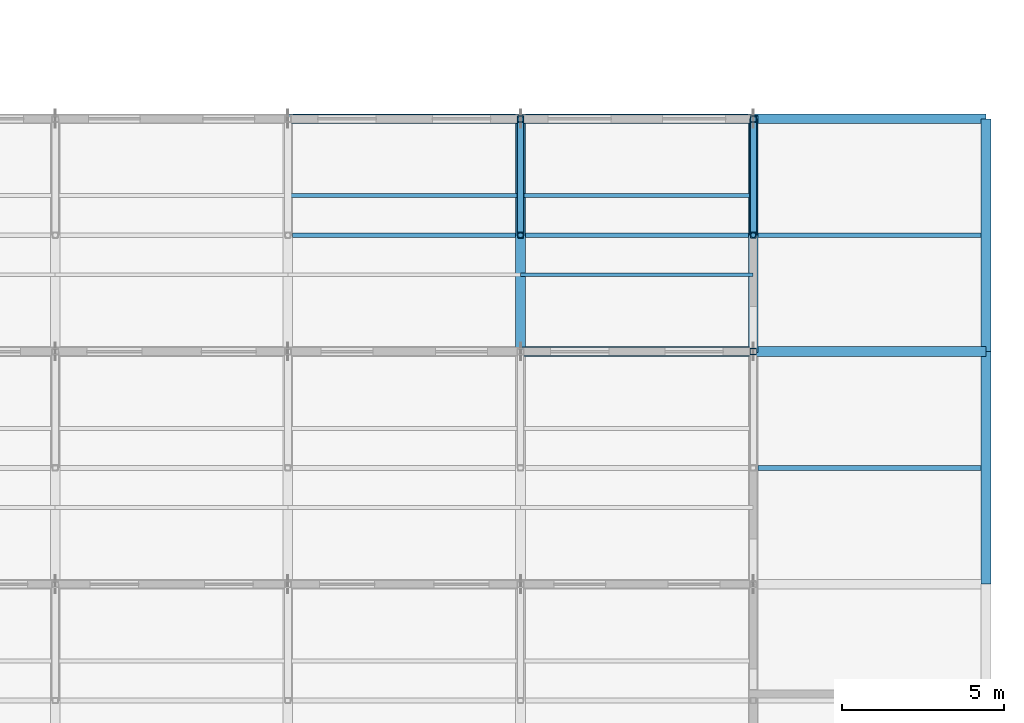
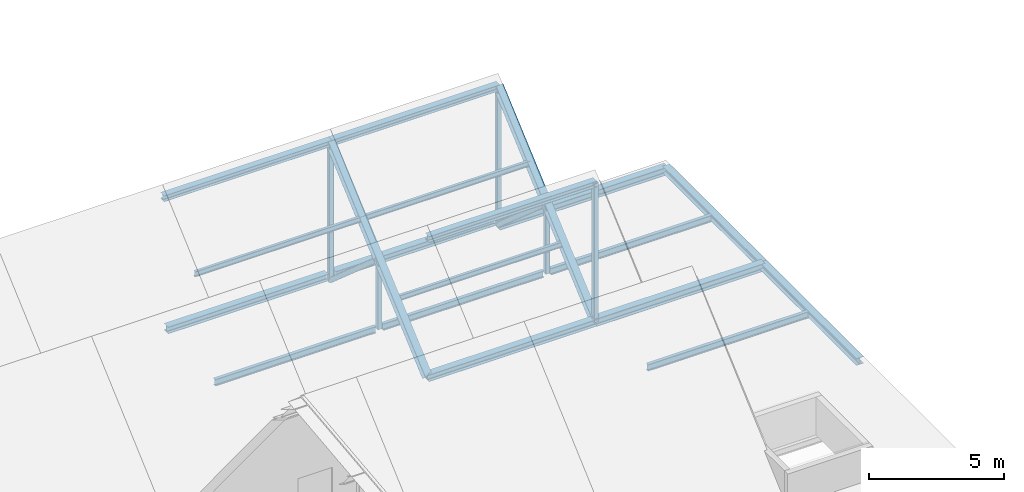
# One storey, part 11 of 31: 17 beams, 9 members.
"""IFC4 building model written with IfcOpenShell, lengths in metres."""

from ifc_helpers import new_model, si_unit, direction, frame, origin, origin_2d, place, context, subcontext, project, spatial, hollow_rectangle, hollow_circle, i_section, extrude, material, material_profile, profile_set, type_object, element, save


model = new_model("IFC4")

# Units and contexts
model_context = context("Model", 3, precision=1e-05, world=origin(), true_north=direction((0.0, 1.0)))
body_context = subcontext(model_context, "Body", "Model", "MODEL_VIEW")
ifc_project = project(units=[si_unit("LENGTHUNIT", "METRE"), si_unit("AREAUNIT", "SQUARE_METRE"), si_unit("VOLUMEUNIT", "CUBIC_METRE"), si_unit("PLANEANGLEUNIT", "RADIAN"), si_unit("MASSUNIT", "GRAM", prefix="KILO")], contexts=[model_context])

# Site, building, storey
site_placement = place(None, origin())
site = spatial("IfcSite", under=ifc_project, at=site_placement, CompositionType="ELEMENT")
building_placement = place(site_placement, origin())
building = spatial("IfcBuilding", under=site, at=building_placement, Name="Zlatovets Crest Museum", CompositionType="ELEMENT")
storey_placement = place(building_placement, frame((0.0, 0.0, 25.199951171875)))
storey = spatial("IfcBuildingStorey", under=building, at=storey_placement, Name="L05", CompositionType="ELEMENT", Elevation=25.199951171875)

# Beams
ifc_material = material(Name="Structural steel S355J2", Category="steel")
ifc_material_profile_1 = material_profile(ifc_material, i_section(OverallWidth=0.300048828125, OverallDepth=0.35009765625, WebThickness=0.010009765625, FlangeThickness=0.017578125, FilletRadius=0.027099609375, at=origin_2d()), Name="HEA 360")
ifc_profile_set_1 = profile_set([ifc_material_profile_1], Name="Structural steel S355J2")
beam_type_1 = type_object("IfcBeamType", Name="Beam_B-03", PredefinedType="BEAM", material=ifc_profile_set_1)
for number, where, z_axis, x_axis, name in (
    (1, (100.800048828125, 21.60009765625, -0.39501953125), (1.0, 0.0, 0.0), (0.0, 1.0, 0.0), "V2 L05 Primary Girder B-03"),
    (2, (100.800048828125, 28.800048828125, -0.39501953125), (1.0, 0.0, 0.0), (0.0, 1.0, 0.0), "V2 L05 Primary Girder B-03"),
):
    element("IfcBeam", number, at=place(storey_placement, frame(where, z_axis=z_axis, x_axis=x_axis)), inside=storey, type_object=beam_type_1, Name=name, PredefinedType="BEAM", context=body_context, shape_type="SweptSolid", body=[
        extrude(i_section(OverallWidth=0.300048828125, OverallDepth=0.35009765625, WebThickness=0.010009765625, FlangeThickness=0.017578125, FilletRadius=0.027099609375, at=origin_2d()), origin(), (0.0, 0.0, 1.0), 7.199951171875),
    ])
ifc_material_profile_2 = material_profile(ifc_material, i_section(OverallWidth=0.300048828125, OverallDepth=0.31005859375, WebThickness=0.009033203125, FlangeThickness=0.015380859375, FilletRadius=0.027099609375, at=origin_2d()), Name="HEA 320")
ifc_profile_set_2 = profile_set([ifc_material_profile_2], Name="Structural steel S355J2")
beam_type_2 = type_object("IfcBeamType", Name="Beam_B-04", PredefinedType="BEAM", material=ifc_profile_set_2)
beam_1_placement = place(storey_placement, frame((108.0, 14.39990234375, -0.375), z_axis=(0.0, 1.0, 0.0), x_axis=(-1.0, 0.0, 0.0)))
element("IfcBeam", 3, at=beam_1_placement, inside=storey, type_object=beam_type_2, Name="V2 L05 Grid Beam B-04", PredefinedType="BEAM", context=body_context, shape_type="SweptSolid", body=[
    extrude(i_section(OverallWidth=0.300048828125, OverallDepth=0.31005859375, WebThickness=0.009033203125, FlangeThickness=0.015380859375, FilletRadius=0.027099609375, at=origin_2d()), origin(), (0.0, 0.0, 1.0), 7.2001953125),
])
for number, where, z_axis, x_axis, name in (
    (4, (108.0, 21.60009765625, -0.375), (0.0, 1.0, 0.0), (-1.0, 0.0, 0.0), "V2 L05 Grid Beam B-04"),
    (5, (93.60009765625, 21.60009765625, -0.39990234375), (1.0, 0.0, 0.0), (0.0, 1.0, 0.0), "V2 Sawtooth Tooth 2 Valley / Clerestory Sill Girder"),
):
    element("IfcBeam", number, at=place(storey_placement, frame(where, z_axis=z_axis, x_axis=x_axis)), inside=storey, type_object=beam_type_2, Name=name, PredefinedType="BEAM", context=body_context, shape_type="SweptSolid", body=[
        extrude(i_section(OverallWidth=0.300048828125, OverallDepth=0.31005859375, WebThickness=0.009033203125, FlangeThickness=0.015380859375, FilletRadius=0.027099609375, at=origin_2d()), origin(), (0.0, 0.0, 1.0), 7.199951171875),
    ])
for number, where, z_axis, x_axis, name in (
    (6, (86.56005859375, 28.800048828125, -0.135009765625), (1.0, 0.0, 0.0), (0.0, 1.0, 0.0), "V2 Sawtooth Tooth 3 Valley / Clerestory Sill Girder"),
    (7, (93.760009765625, 28.800048828125, -0.135009765625), (1.0, 0.0, 0.0), (0.0, 1.0, 0.0), "V2 Sawtooth Tooth 3 Valley / Clerestory Sill Girder"),
):
    element("IfcBeam", number, at=place(storey_placement, frame(where, z_axis=z_axis, x_axis=x_axis)), inside=storey, type_object=beam_type_2, Name=name, PredefinedType="BEAM", context=body_context, shape_type="SweptSolid", body=[
        extrude(i_section(OverallWidth=0.300048828125, OverallDepth=0.31005859375, WebThickness=0.009033203125, FlangeThickness=0.015380859375, FilletRadius=0.027099609375, at=origin_2d()), origin(), (0.0, 0.0, 1.0), 6.8798828125),
    ])
ifc_material_profile_3 = material_profile(ifc_material, i_section(OverallWidth=0.280029296875, OverallDepth=0.27001953125, WebThickness=0.008056640625, FlangeThickness=0.012939453125, FilletRadius=0.02392578125, at=origin_2d()), Name="HEA 280")
ifc_profile_set_3 = profile_set([ifc_material_profile_3], Name="Structural steel S355J2")
beam_type_3 = type_object("IfcBeamType", Name="Beam_B-05", PredefinedType="BEAM", material=ifc_profile_set_3)
beam_2_placement = place(storey_placement, frame((93.60009765625, 21.60009765625, 5.8857421875), z_axis=(1.0, 0.0, 0.0), x_axis=(0.0, 1.0, 0.0)))
element("IfcBeam", 8, at=beam_2_placement, inside=storey, type_object=beam_type_3, Name="V2 Sawtooth Tooth 2 Ridge Girder", PredefinedType="BEAM", context=body_context, shape_type="SweptSolid", body=[
    extrude(i_section(OverallWidth=0.280029296875, OverallDepth=0.27001953125, WebThickness=0.008056640625, FlangeThickness=0.012939453125, FilletRadius=0.02392578125, at=origin_2d()), origin(), (0.0, 0.0, 1.0), 7.199951171875),
])
beam_3_placement = place(storey_placement, frame((86.39990234375, 28.800048828125, 5.8857421875), z_axis=(1.0, 0.0, 0.0), x_axis=(0.0, 1.0, 0.0)))
element("IfcBeam", 9, at=beam_3_placement, inside=storey, type_object=beam_type_3, Name="V2 Sawtooth Tooth 3 Ridge Girder", PredefinedType="BEAM", context=body_context, shape_type="SweptSolid", body=[
    extrude(i_section(OverallWidth=0.280029296875, OverallDepth=0.27001953125, WebThickness=0.008056640625, FlangeThickness=0.012939453125, FilletRadius=0.02392578125, at=origin_2d()), origin(), (0.0, 0.0, 1.0), 7.2001953125),
])
beam_4_placement = place(storey_placement, frame((93.60009765625, 28.800048828125, 5.8857421875), z_axis=(1.0, 0.0, 0.0), x_axis=(0.0, 1.0, 0.0)))
element("IfcBeam", 10, at=beam_4_placement, inside=storey, type_object=beam_type_3, Name="V2 Sawtooth Tooth 3 Ridge Girder", PredefinedType="BEAM", context=body_context, shape_type="SweptSolid", body=[
    extrude(i_section(OverallWidth=0.280029296875, OverallDepth=0.27001953125, WebThickness=0.008056640625, FlangeThickness=0.012939453125, FilletRadius=0.02392578125, at=origin_2d()), origin(), (0.0, 0.0, 1.0), 7.199951171875),
])
ifc_material_profile_4 = material_profile(ifc_material, i_section(OverallWidth=0.14990234375, OverallDepth=0.300048828125, WebThickness=0.007080078125, FlangeThickness=0.0107421875, FilletRadius=0.014892578125, at=origin_2d()), Name="IPE 300")
ifc_profile_set_4 = profile_set([ifc_material_profile_4], Name="Structural steel S355J2")
beam_type_4 = type_object("IfcBeamType", Name="Beam_J-02", PredefinedType="JOIST", material=ifc_profile_set_4)
for number, where, z_axis, x_axis, name in (
    (11, (86.550048828125, 25.199951171875, -0.369873046875), (1.0, 0.0, 0.0), (0.0, 1.0, 0.0), "V2 L05 Composite Joist J-02"),
    (12, (93.75, 25.199951171875, -0.369873046875), (1.0, 0.0, 0.0), (0.0, 1.0, 0.0), "V2 L05 Composite Joist J-02"),
):
    element("IfcBeam", number, at=place(storey_placement, frame(where, z_axis=z_axis, x_axis=x_axis)), inside=storey, type_object=beam_type_4, Name=name, PredefinedType="JOIST", context=body_context, shape_type="SweptSolid", body=[
        extrude(i_section(OverallWidth=0.14990234375, OverallDepth=0.300048828125, WebThickness=0.007080078125, FlangeThickness=0.0107421875, FilletRadius=0.014892578125, at=origin_2d()), origin(), (0.0, 0.0, 1.0), 6.89990234375),
    ])
for number, where, z_axis, x_axis, name in (
    (13, (100.949951171875, 18.0, -0.369873046875), (1.0, 0.0, 0.0), (0.0, 1.0, 0.0), "V2 L05 Composite Joist J-02"),
    (14, (100.949951171875, 25.199951171875, -0.369873046875), (1.0, 0.0, 0.0), (0.0, 1.0, 0.0), "V2 L05 Composite Joist J-02"),
):
    element("IfcBeam", number, at=place(storey_placement, frame(where, z_axis=z_axis, x_axis=x_axis)), inside=storey, type_object=beam_type_4, Name=name, PredefinedType="JOIST", context=body_context, shape_type="SweptSolid", body=[
        extrude(i_section(OverallWidth=0.14990234375, OverallDepth=0.300048828125, WebThickness=0.007080078125, FlangeThickness=0.0107421875, FilletRadius=0.014892578125, at=origin_2d()), origin(), (0.0, 0.0, 1.0), 6.900146484375),
    ])
ifc_material_profile_5 = material_profile(ifc_material, i_section(OverallWidth=0.1201171875, OverallDepth=0.239990234375, WebThickness=0.006103515625, FlangeThickness=0.009765625, FilletRadius=0.014892578125, at=origin_2d()), Name="IPE 240")
ifc_profile_set_5 = profile_set([ifc_material_profile_5], Name="Structural steel S355J2")
beam_type_5 = type_object("IfcBeamType", Name="Beam_PR-01", PredefinedType="BEAM", material=ifc_profile_set_5)
beam_5_placement = place(storey_placement, frame((86.39990234375, 26.424072265625, 3.8486328125), z_axis=(1.0, 0.0, 0.0), x_axis=(0.0, 1.0, 0.0)))
element("IfcBeam", 15, at=beam_5_placement, inside=storey, type_object=beam_type_5, Name="V2 Sawtooth Tooth 3 Purlin PR-01", PredefinedType="BEAM", context=body_context, shape_type="SweptSolid", body=[
    extrude(i_section(OverallWidth=0.1201171875, OverallDepth=0.239990234375, WebThickness=0.006103515625, FlangeThickness=0.009765625, FilletRadius=0.014892578125, at=origin_2d()), origin(), (0.0, 0.0, 1.0), 7.2001953125),
])
for number, where, z_axis, x_axis, name in (
    (16, (93.60009765625, 23.97607421875, 1.672607421875), (1.0, 0.0, 0.0), (0.0, 1.0, 0.0), "V2 Sawtooth Tooth 3 Purlin PR-01"),
    (17, (93.60009765625, 26.424072265625, 3.8486328125), (1.0, 0.0, 0.0), (0.0, 1.0, 0.0), "V2 Sawtooth Tooth 3 Purlin PR-01"),
):
    element("IfcBeam", number, at=place(storey_placement, frame(where, z_axis=z_axis, x_axis=x_axis)), inside=storey, type_object=beam_type_5, Name=name, PredefinedType="BEAM", context=body_context, shape_type="SweptSolid", body=[
        extrude(i_section(OverallWidth=0.1201171875, OverallDepth=0.239990234375, WebThickness=0.006103515625, FlangeThickness=0.009765625, FilletRadius=0.014892578125, at=origin_2d()), origin(), (0.0, 0.0, 1.0), 7.199951171875),
    ])

# Members
ifc_material_profile_6 = material_profile(ifc_material, i_section(OverallWidth=0.300048828125, OverallDepth=0.31005859375, WebThickness=0.009033203125, FlangeThickness=0.015380859375, FilletRadius=0.027099609375, at=origin_2d()), Name="HEA 320")
ifc_profile_set_6 = profile_set([ifc_material_profile_6], Name="Structural steel S355J2")
member_type_1 = type_object("IfcMemberType", Name="Member_TM-02", PredefinedType="RAFTER", material=ifc_profile_set_6)
for number, where, z_axis, x_axis, name in (
    (18, (93.60009765625, 21.60009765625, -0.39990234375), (0.0, 0.753318349335, 0.65765603818), (-1.0, 0.0, 0.0), "V2 Sawtooth Tooth 3 Rafter Chord"),
    (19, (100.800048828125, 21.60009765625, -0.39990234375), (0.0, 0.753318349335, 0.65765603818), (-1.0, 0.0, 0.0), "V2 Sawtooth Tooth 3 Rafter Chord"),
):
    element("IfcMember", number, at=place(storey_placement, frame(where, z_axis=z_axis, x_axis=x_axis)), inside=storey, type_object=member_type_1, Name=name, PredefinedType="RAFTER", context=body_context, shape_type="SweptSolid", body=[
        extrude(i_section(OverallWidth=0.300048828125, OverallDepth=0.31005859375, WebThickness=0.009033203125, FlangeThickness=0.015380859375, FilletRadius=0.027099609375, at=origin_2d()), origin(), (0.0, 0.0, 1.0), 9.5576171875),
    ])
ifc_material_profile_7 = material_profile(ifc_material, hollow_rectangle(XDim=0.199951171875, YDim=0.199951171875, WallThickness=0.012451171875, InnerFilletRadius=0.012451171875, OuterFilletRadius=0.02490234375, at=origin_2d()), Name="SHS 200x200x12.5")
ifc_profile_set_7 = profile_set([ifc_material_profile_7], Name="Structural steel S355J2")
member_type_2 = type_object("IfcMemberType", Name="Member_TM-03", PredefinedType="BRACE", material=ifc_profile_set_7)
for number, where, z_axis, x_axis, name in (
    (20, (93.60009765625, 28.800048828125, -0.39990234375), (0.0, 0.0, 1.0), (1.0, 0.0, 0.0), "V2 Sawtooth Tooth 3 North-Light Post"),
    (21, (100.800048828125, 21.60009765625, -0.39990234375), (0.0, 0.0, 1.0), (1.0, 0.0, 0.0), "V2 Sawtooth Tooth 2 North-Light Post"),
    (22, (100.800048828125, 28.800048828125, -0.39990234375), (0.0, 0.0, 1.0), (1.0, 0.0, 0.0), "V2 Sawtooth Tooth 3 North-Light Post"),
):
    element("IfcMember", number, at=place(storey_placement, frame(where, z_axis=z_axis, x_axis=x_axis)), inside=storey, type_object=member_type_2, Name=name, PredefinedType="BRACE", context=body_context, shape_type="SweptSolid", body=[
        extrude(hollow_rectangle(XDim=0.199951171875, YDim=0.199951171875, WallThickness=0.012451171875, InnerFilletRadius=0.012451171875, OuterFilletRadius=0.02490234375, at=origin_2d()), origin(), (0.0, 0.0, 1.0), 6.28564453125),
    ])
ifc_material_profile_8 = material_profile(ifc_material, hollow_rectangle(XDim=0.179931640625, YDim=0.179931640625, WallThickness=0.010009765625, InnerFilletRadius=0.010009765625, OuterFilletRadius=0.02001953125, at=origin_2d()), Name="SHS 180x180x10.0")
ifc_profile_set_8 = profile_set([ifc_material_profile_8], Name="Structural steel S355J2")
member_type_3 = type_object("IfcMemberType", Name="Member_TM-04", PredefinedType="STRUT", material=ifc_profile_set_8)
for number, where, z_axis, x_axis, name in (
    (23, (93.60009765625, 25.199951171875, -0.39990234375), (0.0, 0.0, 1.0), (1.0, 0.0, 0.0), "V2 Sawtooth Tooth 3 Web Post"),
    (24, (100.800048828125, 25.199951171875, -0.39990234375), (0.0, 0.0, 1.0), (1.0, 0.0, 0.0), "V2 Sawtooth Tooth 3 Web Post"),
):
    element("IfcMember", number, at=place(storey_placement, frame(where, z_axis=z_axis, x_axis=x_axis)), inside=storey, type_object=member_type_3, Name=name, PredefinedType="STRUT", context=body_context, shape_type="SweptSolid", body=[
        extrude(hollow_rectangle(XDim=0.179931640625, YDim=0.179931640625, WallThickness=0.010009765625, InnerFilletRadius=0.010009765625, OuterFilletRadius=0.02001953125, at=origin_2d()), origin(), (0.0, 0.0, 1.0), 3.142822265625),
    ])
ifc_material_profile_9 = material_profile(ifc_material, hollow_circle(Radius=0.109619140625, WallThickness=0.010009765625, at=origin_2d()), Name="CHS 219.1x10.0")
ifc_profile_set_9 = profile_set([ifc_material_profile_9], Name="Structural steel S355J2")
member_type_4 = type_object("IfcMemberType", Name="Member_TM-05", PredefinedType="BRACE", material=ifc_profile_set_9)
for number, where, z_axis, x_axis, name in (
    (25, (93.60009765625, 25.199951171875, 2.742919921875), (0.0, 0.753329397093, -0.657643383207), (-1.0, 0.0, 0.0), "V2 Sawtooth Tooth 3 Web Diagonal"),
    (26, (100.800048828125, 25.199951171875, 2.742919921875), (0.0, 0.753329397093, -0.657643383207), (-1.0, 0.0, 0.0), "V2 Sawtooth Tooth 3 Web Diagonal"),
):
    element("IfcMember", number, at=place(storey_placement, frame(where, z_axis=z_axis, x_axis=x_axis)), inside=storey, type_object=member_type_4, Name=name, PredefinedType="BRACE", context=body_context, shape_type="SweptSolid", body=[
        extrude(hollow_circle(Radius=0.109619140625, WallThickness=0.010009765625, at=origin_2d()), origin(), (0.0, 0.0, 1.0), 4.77880859375),
    ])

save(model, "model.ifc")
